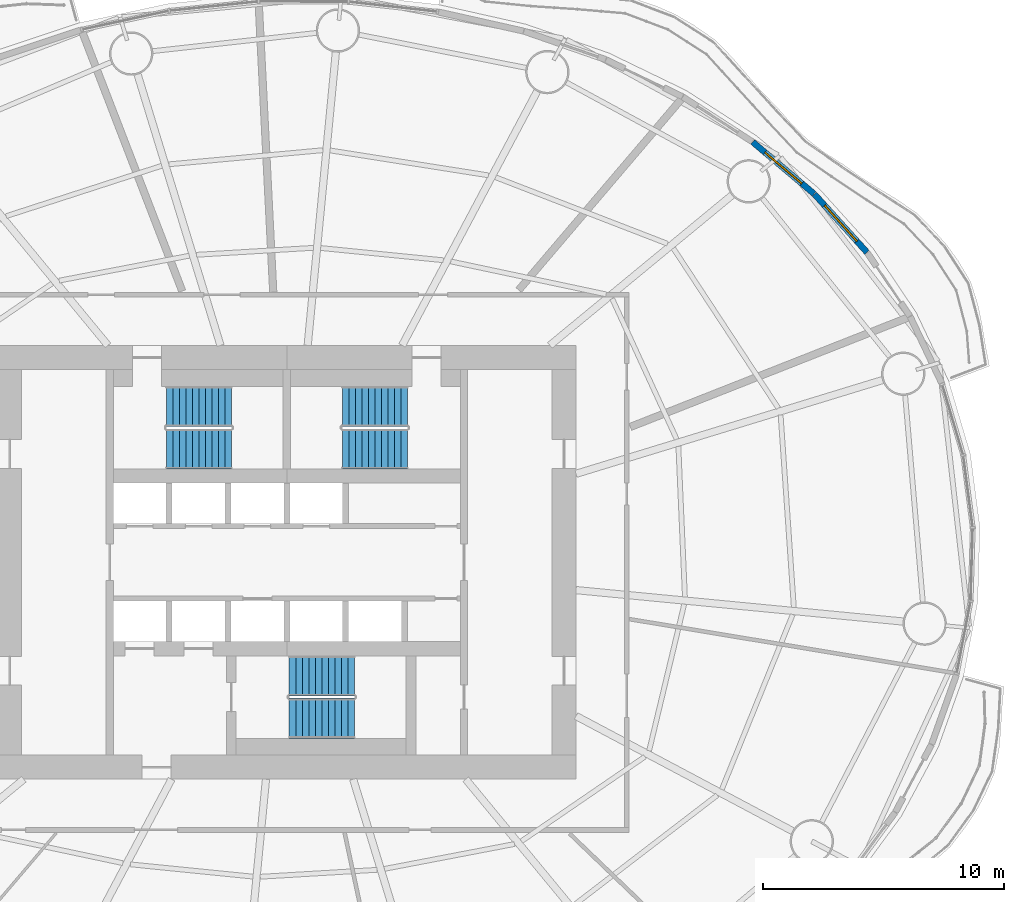
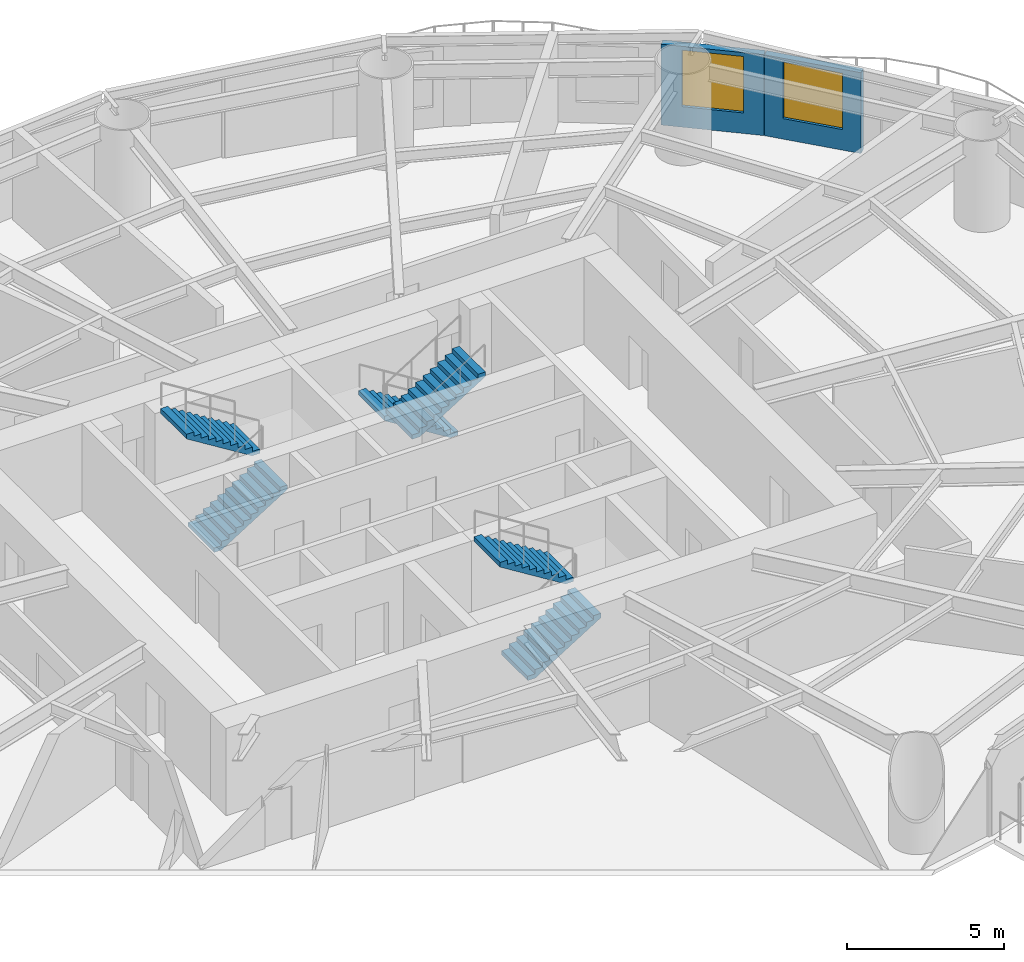
# One storey, part 11 of 16: 6 stair flights, 2 walls, 2 windows, 2 openings, 3 elements without a shape of their own.
"""IFC4 building model written with IfcOpenShell, lengths in metres."""

from ifc_helpers import new_model, si_unit, direction, frame, frame_2d, origin, place, context, subcontext, project, spatial, polyline, rectangle, outline, extrude, material, layer, layer_set, type_object, element, fill, aggregate, save


model = new_model("IFC4")

# Units and contexts
model_context = context("Model", 3, precision=1e-05, world=origin(), true_north=direction((0.0, 1.0)))
body_context = subcontext(model_context, "Body", "Model", "MODEL_VIEW")
ifc_project = project(units=[si_unit("LENGTHUNIT", "METRE"), si_unit("AREAUNIT", "SQUARE_METRE"), si_unit("VOLUMEUNIT", "CUBIC_METRE"), si_unit("PLANEANGLEUNIT", "RADIAN"), si_unit("MASSUNIT", "GRAM", prefix="KILO")], contexts=[model_context])

# Site, building, storey
site_placement = place(None, origin())
site = spatial("IfcSite", under=ifc_project, at=site_placement, CompositionType="ELEMENT")
building_placement = place(site_placement, origin())
building = spatial("IfcBuilding", under=site, at=building_placement, Name="Vermilion Reach Broadcast Tower", CompositionType="ELEMENT")
storey_placement = place(building_placement, frame((0.0, 0.0, 47.10009765625)))
storey = spatial("IfcBuildingStorey", under=building, at=storey_placement, Name="L08", CompositionType="ELEMENT", Elevation=47.10009765625)

# Wall, opening, window
ifc_material_1 = material(Name="Terracotta rainscreen cladding", Category="masonry")
ifc_layer = layer(ifc_material_1, 0.25)
ifc_layer_set = layer_set([ifc_layer], Name="Terracotta rainscreen wall 250")
wall_type = type_object("IfcWallType", Name="Terracotta rainscreen wall 250", PredefinedType="SOLIDWALL", material=ifc_layer_set)
wall_1_placement = place(storey_placement, frame((18.06787109375, 12.860595703125, 0.0), z_axis=(0.0, 0.0, 1.0), x_axis=(-0.670103092784, 0.742268041237, 0.0)))
wall_1 = element("IfcWall", 1, at=wall_1_placement, inside=storey, type_object=wall_type, Name="External wall L08 04", PredefinedType="SOLIDWALL", context=body_context, shape_type="SweptSolid", body=[
    extrude(rectangle(XDim=3.244384765625, YDim=0.25, at=frame_2d((1.6220703125, 0.0))), origin(), (0.0, 0.0, 1.0), 3.14990234375),
])
opening_1_placement = place(wall_1_placement, frame((0.6220703125, 0.0, 0.800048828125)))
opening_1 = element("IfcOpeningElement", 2, at=opening_1_placement, cuts=wall_1, Name="Opening W01", PredefinedType="OPENING", context=body_context, shape_type="SweptSolid", body=[
    extrude(rectangle(XDim=2.0, YDim=2.199951171875, at=frame_2d((1.0, 1.10009765625))), frame((0.0, 0.135009765625, 0.0), z_axis=(0.0, -1.0, 0.0), x_axis=(1.0, 0.0, 0.0)), (0.0, 0.0, 1.0), 0.27001953125),
])
ifc_material_2 = material(Name="Low-e laminated clear glass in aluminium frame", Category="aluminium")
window_type = type_object("IfcWindowType", Name="Punched window 2000 x 2200 sill 800", PartitioningType="SINGLE_PANEL", PredefinedType="WINDOW", material=ifc_material_2)
window_1_placement = place(opening_1_placement, origin())
window_1 = element("IfcWindow", 3, at=window_1_placement, inside=storey, type_object=window_type, Name="Window L08 04", OverallHeight=2.199951171875, OverallWidth=2.0, PartitioningType="SINGLE_PANEL", PredefinedType="WINDOW", context=body_context, shape_type="SweptSolid", body=[
    extrude(rectangle(XDim=2.0, YDim=2.199951171875, at=frame_2d((1.0, 1.10009765625))), frame((0.0, 0.030029296875, 0.0), z_axis=(0.0, -1.0, 0.0), x_axis=(1.0, 0.0, 0.0)), (0.0, 0.0, 1.0), 0.06005859375),
])
fill(opening_1, window_1)

wall_2_placement = place(storey_placement, frame((15.8759765625, 15.2861328125, 0.0), z_axis=(0.0, 0.0, 1.0), x_axis=(-0.764082841582, 0.645118137398, 0.0)))
wall_2 = element("IfcWall", 4, at=wall_2_placement, inside=storey, type_object=wall_type, Name="External wall L08 05", PredefinedType="SOLIDWALL", context=body_context, shape_type="SweptSolid", body=[
    extrude(rectangle(XDim=3.3349609375, YDim=0.25, at=frame_2d((1.66748046875, 0.0))), origin(), (0.0, 0.0, 1.0), 3.14990234375),
])
opening_2_placement = place(wall_2_placement, frame((0.66748046875, 0.0, 0.800048828125)))
opening_2 = element("IfcOpeningElement", 5, at=opening_2_placement, cuts=wall_2, Name="Opening W01", PredefinedType="OPENING", context=body_context, shape_type="SweptSolid", body=[
    extrude(rectangle(XDim=2.0, YDim=2.199951171875, at=frame_2d((1.0, 1.10009765625))), frame((0.0, 0.135009765625, 0.0), z_axis=(0.0, -1.0, 0.0), x_axis=(1.0, 0.0, 0.0)), (0.0, 0.0, 1.0), 0.27001953125),
])
window_2_placement = place(opening_2_placement, origin())
window_2 = element("IfcWindow", 6, at=window_2_placement, inside=storey, type_object=window_type, Name="Window L08 05", OverallHeight=2.199951171875, OverallWidth=2.0, PartitioningType="SINGLE_PANEL", PredefinedType="WINDOW", context=body_context, shape_type="SweptSolid", body=[
    extrude(rectangle(XDim=2.0, YDim=2.199951171875, at=frame_2d((1.0, 1.10009765625))), frame((0.0, 0.030029296875, 0.0), z_axis=(0.0, -1.0, 0.0), x_axis=(1.0, 0.0, 0.0)), (0.0, 0.0, 1.0), 0.06005859375),
])
fill(opening_2, window_2)

# Stair, stair flights
ifc_material_3 = material(Name="Concrete C40", Category="concrete")
stair_type = type_object("IfcStairType", Name="Exit stair RC 22 risers 168 mm", PredefinedType="HALF_TURN_STAIR", material=ifc_material_3)
placement = place(storey_placement, origin())
stair_1 = element("IfcStair", 7, at=placement, inside=storey, type_object=stair_type, Name="L08 Exit stair ST1", PredefinedType="HALF_TURN_STAIR")
ifc_material_4 = material(Name="Concrete C40", Category="concrete")
stair_flight_type = type_object("IfcStairFlightType", Name="Exit stair flight RC 11 risers", PredefinedType="STRAIGHT", material=ifc_material_4)
stair_flight_1_placement = place(storey_placement, frame((-11.0, 4.7099609375, 0.0), z_axis=(0.0, 0.0, 1.0), x_axis=(1.0, 0.0, 0.0)))
stair_flight_1 = element("IfcStairFlight", 8, at=stair_flight_1_placement, type_object=stair_flight_type, Name="ST1 flight 1", NumberOfRisers=11, NumberOfTreads=10, PredefinedType="STRAIGHT", RiserHeight=0.168181818, TreadLength=0.27, context=body_context, shape_type="SweptSolid", body=[
    extrude(outline(polyline([(0.0, 0.0), (0.0, 0.168212890625), (0.27001953125, 0.168212890625), (0.27001953125, 0.33642578125), (0.5400390625, 0.33642578125), (0.5400390625, 0.504638671875), (0.81005859375, 0.504638671875), (0.81005859375, 0.672607421875), (1.080078125, 0.672607421875), (1.080078125, 0.8408203125), (1.35009765625, 0.8408203125), (1.35009765625, 1.009033203125), (1.6201171875, 1.009033203125), (1.6201171875, 1.17724609375), (1.889892578125, 1.17724609375), (1.889892578125, 1.345458984375), (2.159912109375, 1.345458984375), (2.159912109375, 1.513671875), (2.429931640625, 1.513671875), (2.429931640625, 1.681884765625), (2.699951171875, 1.681884765625), (2.699951171875, 1.85009765625), (2.699951171875, 1.505126953125), (0.283447265625, 0.0), (0.0, 0.0)])), frame((0.0, 0.830078125, 0.0), z_axis=(0.0, -1.0, 0.0), x_axis=(1.0, 0.0, 0.0)), (0.0, 0.0, 1.0), 1.659912109375),
])
stair_flight_2_placement = place(storey_placement, frame((-8.300048828125, 6.469970703125, 1.849853515625), z_axis=(0.0, 0.0, 1.0), x_axis=(-1.0, 0.0, 0.0)))
stair_flight_2 = element("IfcStairFlight", 9, at=stair_flight_2_placement, type_object=stair_flight_type, Name="ST1 flight 2", NumberOfRisers=11, NumberOfTreads=10, PredefinedType="STRAIGHT", RiserHeight=0.168181818, TreadLength=0.27, context=body_context, shape_type="SweptSolid", body=[
    extrude(outline(polyline([(0.0, 0.0), (0.0, 0.168212890625), (0.27001953125, 0.168212890625), (0.27001953125, 0.33642578125), (0.5400390625, 0.33642578125), (0.5400390625, 0.504638671875), (0.81005859375, 0.504638671875), (0.81005859375, 0.672607421875), (1.080078125, 0.672607421875), (1.080078125, 0.8408203125), (1.35009765625, 0.8408203125), (1.35009765625, 1.009033203125), (1.6201171875, 1.009033203125), (1.6201171875, 1.17724609375), (1.889892578125, 1.17724609375), (1.889892578125, 1.345458984375), (2.159912109375, 1.345458984375), (2.159912109375, 1.513671875), (2.429931640625, 1.513671875), (2.429931640625, 1.681884765625), (2.699951171875, 1.681884765625), (2.699951171875, 1.85009765625), (2.699951171875, 1.505126953125), (0.283447265625, 0.0), (0.0, 0.0)])), frame((0.0, 0.830078125, 0.0), z_axis=(0.0, -1.0, 0.0), x_axis=(1.0, 0.0, 0.0)), (0.0, 0.0, 1.0), 1.659912109375),
])
aggregate(stair_1, [stair_flight_1, stair_flight_2])

stair_2 = element("IfcStair", 10, at=placement, inside=storey, type_object=stair_type, Name="L08 Exit stair ST2", PredefinedType="HALF_TURN_STAIR")
stair_flight_3_placement = place(storey_placement, frame((-1.0, 6.469970703125, 0.0), z_axis=(0.0, 0.0, 1.0), x_axis=(-1.0, 0.0, 0.0)))
stair_flight_3 = element("IfcStairFlight", 11, at=stair_flight_3_placement, type_object=stair_flight_type, Name="ST2 flight 1", NumberOfRisers=11, NumberOfTreads=10, PredefinedType="STRAIGHT", RiserHeight=0.168181818, TreadLength=0.27, context=body_context, shape_type="SweptSolid", body=[
    extrude(outline(polyline([(0.0, 0.0), (0.0, 0.168212890625), (0.27001953125, 0.168212890625), (0.27001953125, 0.33642578125), (0.5400390625, 0.33642578125), (0.5400390625, 0.504638671875), (0.81005859375, 0.504638671875), (0.81005859375, 0.672607421875), (1.080078125, 0.672607421875), (1.080078125, 0.8408203125), (1.35009765625, 0.8408203125), (1.35009765625, 1.009033203125), (1.6201171875, 1.009033203125), (1.6201171875, 1.17724609375), (1.889892578125, 1.17724609375), (1.889892578125, 1.345458984375), (2.159912109375, 1.345458984375), (2.159912109375, 1.513671875), (2.429931640625, 1.513671875), (2.429931640625, 1.681884765625), (2.699951171875, 1.681884765625), (2.699951171875, 1.85009765625), (2.699951171875, 1.505126953125), (0.283447265625, 0.0), (0.0, 0.0)])), frame((0.0, 0.830078125, 0.0), z_axis=(0.0, -1.0, 0.0), x_axis=(1.0, 0.0, 0.0)), (0.0, 0.0, 1.0), 1.659912109375),
])
stair_flight_4_placement = place(storey_placement, frame((-3.699951171875, 4.7099609375, 1.849853515625), z_axis=(0.0, 0.0, 1.0), x_axis=(1.0, 0.0, 0.0)))
stair_flight_4 = element("IfcStairFlight", 12, at=stair_flight_4_placement, type_object=stair_flight_type, Name="ST2 flight 2", NumberOfRisers=11, NumberOfTreads=10, PredefinedType="STRAIGHT", RiserHeight=0.168181818, TreadLength=0.27, context=body_context, shape_type="SweptSolid", body=[
    extrude(outline(polyline([(0.0, 0.0), (0.0, 0.168212890625), (0.27001953125, 0.168212890625), (0.27001953125, 0.33642578125), (0.5400390625, 0.33642578125), (0.5400390625, 0.504638671875), (0.81005859375, 0.504638671875), (0.81005859375, 0.672607421875), (1.080078125, 0.672607421875), (1.080078125, 0.8408203125), (1.35009765625, 0.8408203125), (1.35009765625, 1.009033203125), (1.6201171875, 1.009033203125), (1.6201171875, 1.17724609375), (1.889892578125, 1.17724609375), (1.889892578125, 1.345458984375), (2.159912109375, 1.345458984375), (2.159912109375, 1.513671875), (2.429931640625, 1.513671875), (2.429931640625, 1.681884765625), (2.699951171875, 1.681884765625), (2.699951171875, 1.85009765625), (2.699951171875, 1.505126953125), (0.283447265625, 0.0), (0.0, 0.0)])), frame((0.0, 0.830078125, 0.0), z_axis=(0.0, -1.0, 0.0), x_axis=(1.0, 0.0, 0.0)), (0.0, 0.0, 1.0), 1.659912109375),
])
aggregate(stair_2, [stair_flight_3, stair_flight_4])

stair_3 = element("IfcStair", 13, at=placement, inside=storey, type_object=stair_type, Name="L08 Exit stair ST3", PredefinedType="HALF_TURN_STAIR")
stair_flight_5_placement = place(storey_placement, frame((-5.89990234375, -6.469970703125, 0.0), z_axis=(0.0, 0.0, 1.0), x_axis=(1.0, 0.0, 0.0)))
stair_flight_5 = element("IfcStairFlight", 14, at=stair_flight_5_placement, type_object=stair_flight_type, Name="ST3 flight 1", NumberOfRisers=11, NumberOfTreads=10, PredefinedType="STRAIGHT", RiserHeight=0.168181818, TreadLength=0.27, context=body_context, shape_type="SweptSolid", body=[
    extrude(outline(polyline([(0.0, 0.0), (0.0, 0.168212890625), (0.27001953125, 0.168212890625), (0.27001953125, 0.33642578125), (0.5400390625, 0.33642578125), (0.5400390625, 0.504638671875), (0.81005859375, 0.504638671875), (0.81005859375, 0.672607421875), (1.080078125, 0.672607421875), (1.080078125, 0.8408203125), (1.35009765625, 0.8408203125), (1.35009765625, 1.009033203125), (1.6201171875, 1.009033203125), (1.6201171875, 1.17724609375), (1.889892578125, 1.17724609375), (1.889892578125, 1.345458984375), (2.159912109375, 1.345458984375), (2.159912109375, 1.513671875), (2.429931640625, 1.513671875), (2.429931640625, 1.681884765625), (2.699951171875, 1.681884765625), (2.699951171875, 1.85009765625), (2.699951171875, 1.505126953125), (0.283447265625, 0.0), (0.0, 0.0)])), frame((0.0, 0.830078125, 0.0), z_axis=(0.0, -1.0, 0.0), x_axis=(1.0, 0.0, 0.0)), (0.0, 0.0, 1.0), 1.659912109375),
])
stair_flight_6_placement = place(storey_placement, frame((-3.199951171875, -4.7099609375, 1.849853515625), z_axis=(0.0, 0.0, 1.0), x_axis=(-1.0, 0.0, 0.0)))
stair_flight_6 = element("IfcStairFlight", 15, at=stair_flight_6_placement, type_object=stair_flight_type, Name="ST3 flight 2", NumberOfRisers=11, NumberOfTreads=10, PredefinedType="STRAIGHT", RiserHeight=0.168181818, TreadLength=0.27, context=body_context, shape_type="SweptSolid", body=[
    extrude(outline(polyline([(0.0, 0.0), (0.0, 0.168212890625), (0.27001953125, 0.168212890625), (0.27001953125, 0.33642578125), (0.5400390625, 0.33642578125), (0.5400390625, 0.504638671875), (0.81005859375, 0.504638671875), (0.81005859375, 0.672607421875), (1.080078125, 0.672607421875), (1.080078125, 0.8408203125), (1.35009765625, 0.8408203125), (1.35009765625, 1.009033203125), (1.6201171875, 1.009033203125), (1.6201171875, 1.17724609375), (1.889892578125, 1.17724609375), (1.889892578125, 1.345458984375), (2.159912109375, 1.345458984375), (2.159912109375, 1.513671875), (2.429931640625, 1.513671875), (2.429931640625, 1.681884765625), (2.699951171875, 1.681884765625), (2.699951171875, 1.85009765625), (2.699951171875, 1.505126953125), (0.283447265625, 0.0), (0.0, 0.0)])), frame((0.0, 0.830078125, 0.0), z_axis=(0.0, -1.0, 0.0), x_axis=(1.0, 0.0, 0.0)), (0.0, 0.0, 1.0), 1.659912109375),
])
aggregate(stair_3, [stair_flight_5, stair_flight_6])

save(model, "model.ifc")
